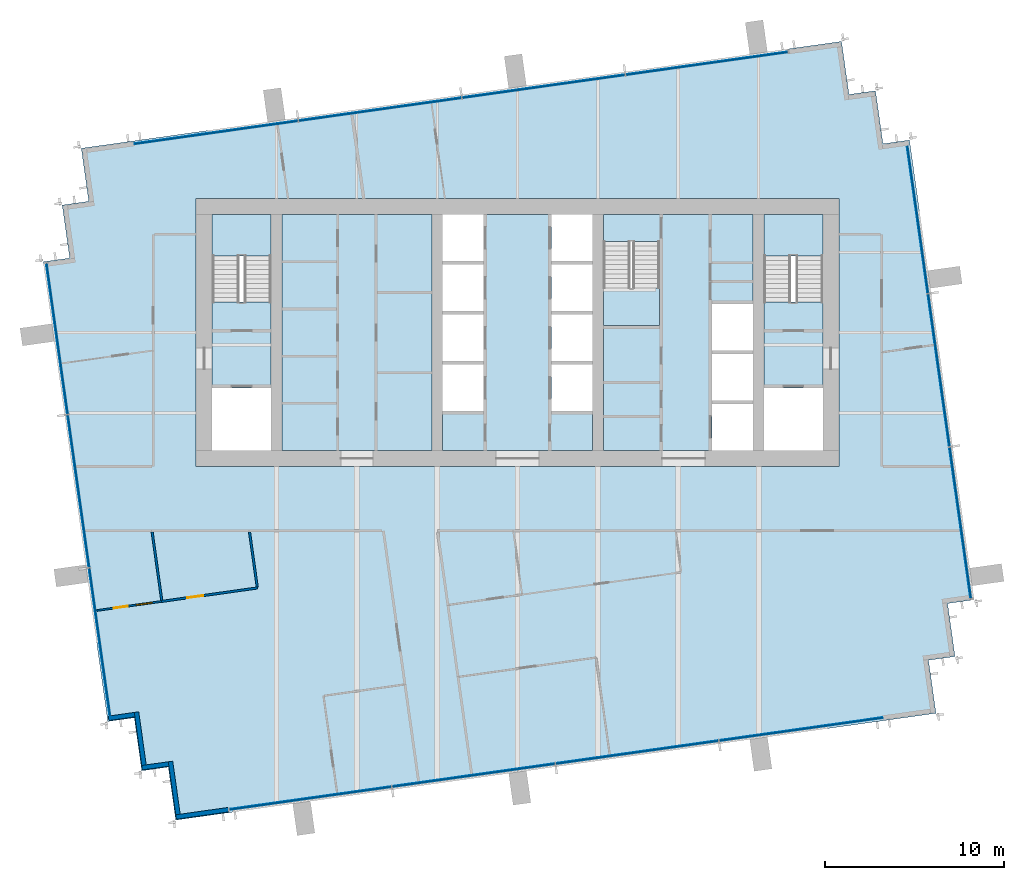
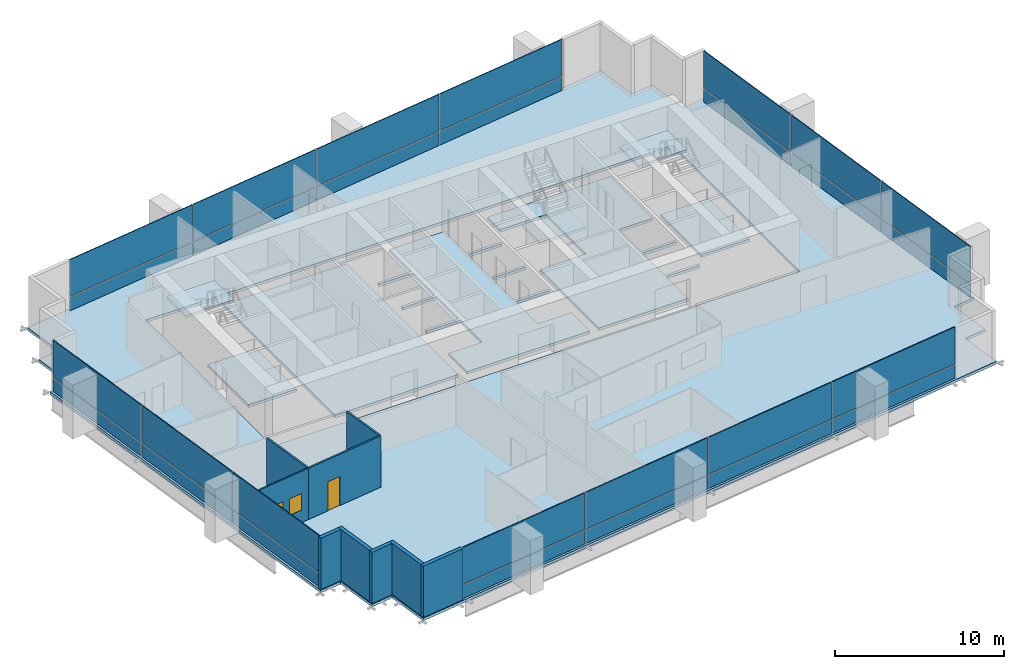
# One storey, part 7 of 12: 28 plates, 9 slabs, 9 walls, 2 doors, 1 window, 3 openings, 7 elements without a shape of their own.
"""IFC4 building model written with IfcOpenShell, lengths in metres."""

from ifc_helpers import new_model, si_unit, direction, frame, frame_2d, origin, origin_2d, place, context, subcontext, project, spatial, polyline, rectangle, outline, extrude, material, layer, layer_set, type_object, element, fill, aggregate, save


model = new_model("IFC4")

# Units and contexts
model_context = context("Model", 3, precision=1e-05, world=origin(), true_north=direction((0.0, 1.0)))
body_context = subcontext(model_context, "Body", "Model", "MODEL_VIEW")
ifc_project = project(units=[si_unit("LENGTHUNIT", "METRE"), si_unit("AREAUNIT", "SQUARE_METRE"), si_unit("VOLUMEUNIT", "CUBIC_METRE"), si_unit("PLANEANGLEUNIT", "RADIAN"), si_unit("MASSUNIT", "GRAM", prefix="KILO")], contexts=[model_context])

# Site, building, storey
site_placement = place(None, origin())
site = spatial("IfcSite", under=ifc_project, at=site_placement, CompositionType="ELEMENT")
building_placement = place(site_placement, origin())
building = spatial("IfcBuilding", under=site, at=building_placement, Name="Rattan Terrace Tower", CompositionType="ELEMENT")
storey_placement = place(building_placement, frame((0.0, 0.0, 259.0)))
storey = spatial("IfcBuildingStorey", under=building, at=storey_placement, Name="L59", CompositionType="ELEMENT", Elevation=259.0)

# Stair, slab
ifc_material_1 = material(Name="Concrete C40/50", Category="concrete")
stair_type = type_object("IfcStairType", Name="Core exit stair 1500", PredefinedType="HALF_TURN_STAIR", material=ifc_material_1)
stair_1_placement = place(storey_placement, origin())
stair_1 = element("IfcStair", 1, at=stair_1_placement, inside=storey, type_object=stair_type, Name="L59 exit stair 1", PredefinedType="HALF_TURN_STAIR")
ifc_material_2 = material(Name="Concrete C40/50", Category="concrete")
ifc_layer_1 = layer(ifc_material_2, 0.199951171875)
ifc_layer_set_1 = layer_set([ifc_layer_1], Name="Core exit stair landing")
slab_type_1 = type_object("IfcSlabType", Name="Core exit stair landing", PredefinedType="LANDING", material=ifc_layer_set_1)
slab_1_placement = place(storey_placement, frame((0.0, 0.0, 1.75)))
slab_1 = element("IfcSlab", 2, at=slab_1_placement, type_object=slab_type_1, Name="S1 landing 1", PredefinedType="LANDING", context=body_context, shape_type="SweptSolid", body=[
    extrude(outline(polyline([(-13.800048828125, 4.300048828125), (-13.800048828125, 6.60009765625), (-17.10009765625, 6.60009765625), (-17.10009765625, 4.300048828125), (-13.800048828125, 4.300048828125)])), origin(), (0.0, 0.0, 1.0), 0.199951171875),
])
aggregate(stair_1, [slab_1])

stair_2_placement = place(storey_placement, origin())
stair_2 = element("IfcStair", 3, at=stair_2_placement, inside=storey, type_object=stair_type, Name="L59 exit stair 2", PredefinedType="HALF_TURN_STAIR")
slab_2_placement = place(storey_placement, frame((0.0, 0.0, 1.75)))
slab_2 = element("IfcSlab", 4, at=slab_2_placement, type_object=slab_type_1, Name="S2 landing 1", PredefinedType="LANDING", context=body_context, shape_type="SweptSolid", body=[
    extrude(outline(polyline([(17.10009765625, 4.300048828125), (17.10009765625, 6.60009765625), (13.800048828125, 6.60009765625), (13.800048828125, 4.300048828125), (17.10009765625, 4.300048828125)])), origin(), (0.0, 0.0, 1.0), 0.199951171875),
])
aggregate(stair_2, [slab_2])

stair_3_placement = place(storey_placement, origin())
stair_3 = element("IfcStair", 5, at=stair_3_placement, inside=storey, type_object=stair_type, Name="L59 exit stair 3", PredefinedType="HALF_TURN_STAIR")
slab_3_placement = place(storey_placement, frame((0.0, 0.0, 1.75)))
slab_3 = element("IfcSlab", 6, at=slab_3_placement, type_object=slab_type_1, Name="S3 landing 1", PredefinedType="LANDING", context=body_context, shape_type="SweptSolid", body=[
    extrude(outline(polyline([(4.800048828125, 2.5), (4.800048828125, 0.39990234375), (7.949951171875, 0.39990234375), (7.949951171875, 2.5), (4.800048828125, 2.5)])), origin(), (0.0, 0.0, 1.0), 0.199951171875),
])
aggregate(stair_3, [slab_3])

# Slabs
ifc_material_3 = material(Name="Concrete C35/45", Category="concrete")
ifc_layer_2 = layer(ifc_material_3, 0.199951171875)
ifc_layer_set_2 = layer_set([ifc_layer_2], Name="Frame composite floor slab 200")
slab_type_2 = type_object("IfcSlabType", Name="Frame composite floor slab 200", PredefinedType="FLOOR", material=ifc_layer_set_2)
slab_4_placement = place(storey_placement, frame((0.0, 0.0, -0.199951171875)))
element("IfcSlab", 7, at=slab_4_placement, inside=storey, type_object=slab_type_2, Name="Floor slab", PredefinedType="FLOOR", context=body_context, shape_type="SweptSolid", body=[
    extrude(outline(polyline([(-16.176025390625, -26.889892578125), (20.464111328125, -21.739990234375), (23.43505859375, -21.322998046875), (23.01806640625, -18.35205078125), (24.5029296875, -18.14306640625), (24.0849609375, -15.173095703125), (25.571044921875, -14.964111328125), (21.951904296875, 10.782958984375), (20.467041015625, 10.573974609375), (20.049072265625, 13.544921875), (18.56396484375, 13.3369140625), (18.14599609375, 16.306884765625), (15.176025390625, 15.889892578125), (-21.464111328125, 10.739990234375), (-24.43505859375, 10.322998046875), (-24.01806640625, 7.35205078125), (-25.5029296875, 7.14306640625), (-25.0849609375, 4.173095703125), (-26.571044921875, 3.964111328125), (-22.951904296875, -21.782958984375), (-21.467041015625, -21.573974609375), (-21.049072265625, -24.544921875), (-19.56396484375, -24.3369140625), (-19.14599609375, -27.306884765625), (-16.176025390625, -26.889892578125)]), holes=[polyline([(-18.0, -7.5), (18.0, -7.5), (18.0, -6.60009765625), (18.0, 6.60009765625), (18.0, 7.5), (-18.0, 7.5), (-18.0, 6.60009765625), (-18.0, -6.60009765625), (-18.0, -7.5)])]), origin(), (0.0, 0.0, 1.0), 0.199951171875),
])
slab_5_placement = place(storey_placement, frame((0.0, 0.0, -0.199951171875)))
element("IfcSlab", 8, at=slab_5_placement, inside=storey, type_object=slab_type_2, Name="Floor slab", PredefinedType="FLOOR", context=body_context, shape_type="SweptSolid", body=[
    extrude(outline(polyline([(13.199951171875, 6.60009765625), (4.800048828125, 6.60009765625), (4.800048828125, 5.090087890625), (7.949951171875, 5.090087890625), (7.949951171875, 0.39990234375), (4.800048828125, 0.39990234375), (4.800048828125, -6.60009765625), (10.89990234375, -6.60009765625), (10.89990234375, -4.0), (13.199951171875, -4.0), (13.199951171875, -3.800048828125), (10.89990234375, -3.800048828125), (10.89990234375, -1.199951171875), (13.199951171875, -1.199951171875), (13.199951171875, -1.0), (10.89990234375, -1.0), (10.89990234375, 1.60009765625), (13.199951171875, 1.60009765625), (13.199951171875, 6.60009765625)])), origin(), (0.0, 0.0, 1.0), 0.199951171875),
])
slab_6_placement = place(storey_placement, frame((0.0, 0.0, -0.199951171875)))
element("IfcSlab", 9, at=slab_6_placement, inside=storey, type_object=slab_type_2, Name="Floor slab", PredefinedType="FLOOR", context=body_context, shape_type="SweptSolid", body=[
    extrude(outline(polyline([(1.89990234375, 6.60009765625), (-1.89990234375, 6.60009765625), (-1.89990234375, 4.0), (-4.199951171875, 4.0), (-4.199951171875, 3.800048828125), (-1.89990234375, 3.800048828125), (-1.89990234375, 1.199951171875), (-4.199951171875, 1.199951171875), (-4.199951171875, 1.0), (-1.89990234375, 1.0), (-1.89990234375, -1.60009765625), (-4.199951171875, -1.60009765625), (-4.199951171875, -1.800048828125), (-1.89990234375, -1.800048828125), (-1.89990234375, -4.39990234375), (-4.199951171875, -4.39990234375), (-4.199951171875, -6.60009765625), (4.199951171875, -6.60009765625), (4.199951171875, -4.39990234375), (1.89990234375, -4.39990234375), (1.89990234375, -1.800048828125), (4.199951171875, -1.800048828125), (4.199951171875, -1.60009765625), (1.89990234375, -1.60009765625), (1.89990234375, 1.0), (4.199951171875, 1.0), (4.199951171875, 1.199951171875), (1.89990234375, 1.199951171875), (1.89990234375, 3.800048828125), (4.199951171875, 3.800048828125), (4.199951171875, 4.0), (1.89990234375, 4.0), (1.89990234375, 6.60009765625)])), origin(), (0.0, 0.0, 1.0), 0.199951171875),
])
slab_7_placement = place(storey_placement, frame((0.0, 0.0, -0.199951171875)))
element("IfcSlab", 10, at=slab_7_placement, inside=storey, type_object=slab_type_2, Name="Floor slab", PredefinedType="FLOOR", context=body_context, shape_type="SweptSolid", body=[
    extrude(outline(polyline([(-17.10009765625, -3.10009765625), (-13.800048828125, -3.10009765625), (-13.800048828125, 1.7099609375), (-17.10009765625, 1.7099609375), (-17.10009765625, -3.10009765625)])), origin(), (0.0, 0.0, 1.0), 0.199951171875),
])
slab_8_placement = place(storey_placement, frame((0.0, 0.0, -0.199951171875)))
element("IfcSlab", 11, at=slab_8_placement, inside=storey, type_object=slab_type_2, Name="Floor slab", PredefinedType="FLOOR", context=body_context, shape_type="SweptSolid", body=[
    extrude(outline(polyline([(-4.800048828125, -6.60009765625), (-4.800048828125, 6.60009765625), (-13.199951171875, 6.60009765625), (-13.199951171875, -6.60009765625), (-4.800048828125, -6.60009765625)])), origin(), (0.0, 0.0, 1.0), 0.199951171875),
])
slab_9_placement = place(storey_placement, frame((0.0, 0.0, -0.199951171875)))
element("IfcSlab", 12, at=slab_9_placement, inside=storey, type_object=slab_type_2, Name="Floor slab", PredefinedType="FLOOR", context=body_context, shape_type="SweptSolid", body=[
    extrude(outline(polyline([(13.800048828125, -3.10009765625), (17.10009765625, -3.10009765625), (17.10009765625, 1.7099609375), (13.800048828125, 1.7099609375), (13.800048828125, -3.10009765625)])), origin(), (0.0, 0.0, 1.0), 0.199951171875),
])

# Curtain wall, plates
ifc_material_4 = material(Name="Aluminium and laminated glass", Category="aluminium")
ifc_layer_3 = layer(ifc_material_4, 0.199951171875)
ifc_layer_set_3 = layer_set([ifc_layer_3], Name="High-Zone Unitised Curtain Wall")
curtain_wall_type = type_object("IfcCurtainWallType", Name="High-Zone Unitised Curtain Wall", PredefinedType="NOTDEFINED", material=ifc_layer_set_3)
curtain_wall_1_placement = place(storey_placement, origin())
curtain_wall_1 = element("IfcCurtainWall", 13, at=curtain_wall_1_placement, inside=storey, type_object=curtain_wall_type, Name="High-zone curtain wall L59-1", PredefinedType="NOTDEFINED")
ifc_material_5 = material(Name="Aluminium insulated spandrel panel", Category="aluminium")
ifc_layer_4 = layer(ifc_material_5, 0.050048828125)
ifc_layer_set_4 = layer_set([ifc_layer_4], Name="High-Zone CW Spandrel Panel")
plate_type_1 = type_object("IfcPlateType", Name="High-Zone CW Spandrel Panel", PredefinedType="CURTAIN_PANEL", material=ifc_layer_set_4)
plate_1_placement = place(storey_placement, frame((24.7939453125, -10.65673828125, 0.0), z_axis=(0.0, 0.0, 1.0), x_axis=(-0.139191775431, 0.990265444036, 0.0)))
plate_1 = element("IfcPlate", 14, at=plate_1_placement, type_object=plate_type_1, Name="Panel cwl-L59-001.1.1", PredefinedType="CURTAIN_PANEL", context=body_context, shape_type="SweptSolid", body=[
    extrude(rectangle(XDim=8.51708984375, YDim=0.050048828125, at=origin_2d()), origin(), (0.0, 0.0, 1.0), 0.965087890625),
])
plate_2_placement = place(storey_placement, frame((23.593017578125, -2.11376953125, 0.0), z_axis=(0.0, 0.0, 1.0), x_axis=(-0.139191775431, 0.990265444036, 0.0)))
plate_2 = element("IfcPlate", 15, at=plate_2_placement, type_object=plate_type_1, Name="Panel cwl-L59-001.2.1", PredefinedType="CURTAIN_PANEL", context=body_context, shape_type="SweptSolid", body=[
    extrude(rectangle(XDim=8.596923828125, YDim=0.050048828125, at=origin_2d()), origin(), (0.0, 0.0, 1.0), 0.965087890625),
])
plate_3_placement = place(storey_placement, frame((22.40478515625, 6.339599609375, 0.0), z_axis=(0.0, 0.0, 1.0), x_axis=(-0.139191775431, 0.990265444036, 0.0)))
plate_3 = element("IfcPlate", 16, at=plate_3_placement, type_object=plate_type_1, Name="Panel cwl-L59-001.3.1", PredefinedType="CURTAIN_PANEL", context=body_context, shape_type="SweptSolid", body=[
    extrude(rectangle(XDim=8.336181640625, YDim=0.050048828125, at=origin_2d()), origin(), (0.0, 0.0, 1.0), 0.965087890625),
])

curtain_wall_2_placement = place(storey_placement, origin())
curtain_wall_2 = element("IfcCurtainWall", 17, at=curtain_wall_2_placement, inside=storey, type_object=curtain_wall_type, Name="High-zone curtain wall L59-2", PredefinedType="NOTDEFINED")
plate_4_placement = place(storey_placement, frame((10.602783203125, 15.075439453125, 0.0), z_axis=(0.0, 0.0, 1.0), x_axis=(-0.990265894013, -0.139188574079, 0.0)))
plate_4 = element("IfcPlate", 18, at=plate_4_placement, type_object=plate_type_1, Name="Panel cwl-L59-002.1.1", PredefinedType="CURTAIN_PANEL", context=body_context, shape_type="SweptSolid", body=[
    extrude(rectangle(XDim=9.14404296875, YDim=0.050048828125, at=origin_2d()), origin(), (0.0, 0.0, 1.0), 0.965087890625),
])
plate_5_placement = place(storey_placement, frame((1.461181640625, 13.79052734375, 0.0), z_axis=(0.0, 0.0, 1.0), x_axis=(-0.990265894013, -0.139188574079, 0.0)))
plate_5 = element("IfcPlate", 19, at=plate_5_placement, type_object=plate_type_1, Name="Panel cwl-L59-002.2.1", PredefinedType="CURTAIN_PANEL", context=body_context, shape_type="SweptSolid", body=[
    extrude(rectangle(XDim=9.178955078125, YDim=0.050048828125, at=origin_2d()), origin(), (0.0, 0.0, 1.0), 0.965087890625),
])
plate_6_placement = place(storey_placement, frame((-7.69775390625, 12.503173828125, 0.0), z_axis=(0.0, 0.0, 1.0), x_axis=(-0.990265894013, -0.139188574079, 0.0)))
plate_6 = element("IfcPlate", 20, at=plate_6_placement, type_object=plate_type_1, Name="Panel cwl-L59-002.3.1", PredefinedType="CURTAIN_PANEL", context=body_context, shape_type="SweptSolid", body=[
    extrude(rectangle(XDim=9.178955078125, YDim=0.050048828125, at=origin_2d()), origin(), (0.0, 0.0, 1.0), 0.965087890625),
])
plate_7_placement = place(storey_placement, frame((-16.876220703125, 11.213134765625, 0.0), z_axis=(0.0, 0.0, 1.0), x_axis=(-0.990265894013, -0.139188574079, 0.0)))
plate_7 = element("IfcPlate", 21, at=plate_7_placement, type_object=plate_type_1, Name="Panel cwl-L59-002.4.1", PredefinedType="CURTAIN_PANEL", context=body_context, shape_type="SweptSolid", body=[
    extrude(rectangle(XDim=9.21826171875, YDim=0.050048828125, at=origin_2d()), origin(), (0.0, 0.0, 1.0), 0.965087890625),
])

curtain_wall_3_placement = place(storey_placement, origin())
curtain_wall_3 = element("IfcCurtainWall", 22, at=curtain_wall_3_placement, inside=storey, type_object=curtain_wall_type, Name="High-zone curtain wall L59-3", PredefinedType="NOTDEFINED")
plate_8_placement = place(storey_placement, frame((-25.7939453125, -0.34326171875, 0.0), z_axis=(0.0, 0.0, 1.0), x_axis=(0.139191775431, -0.990265444036, 0.0)))
plate_8 = element("IfcPlate", 23, at=plate_8_placement, type_object=plate_type_1, Name="Panel cwl-L59-003.1.1", PredefinedType="CURTAIN_PANEL", context=body_context, shape_type="SweptSolid", body=[
    extrude(rectangle(XDim=8.51708984375, YDim=0.050048828125, at=origin_2d()), origin(), (0.0, 0.0, 1.0), 0.965087890625),
])
plate_9_placement = place(storey_placement, frame((-24.593017578125, -8.88623046875, 0.0), z_axis=(0.0, 0.0, 1.0), x_axis=(0.139191775431, -0.990265444036, 0.0)))
plate_9 = element("IfcPlate", 24, at=plate_9_placement, type_object=plate_type_1, Name="Panel cwl-L59-003.2.1", PredefinedType="CURTAIN_PANEL", context=body_context, shape_type="SweptSolid", body=[
    extrude(rectangle(XDim=8.596923828125, YDim=0.050048828125, at=origin_2d()), origin(), (0.0, 0.0, 1.0), 0.965087890625),
])
plate_10_placement = place(storey_placement, frame((-23.40478515625, -17.339599609375, 0.0), z_axis=(0.0, 0.0, 1.0), x_axis=(0.139191775431, -0.990265444036, 0.0)))
plate_10 = element("IfcPlate", 25, at=plate_10_placement, type_object=plate_type_1, Name="Panel cwl-L59-003.3.1", PredefinedType="CURTAIN_PANEL", context=body_context, shape_type="SweptSolid", body=[
    extrude(rectangle(XDim=8.336181640625, YDim=0.050048828125, at=origin_2d()), origin(), (0.0, 0.0, 1.0), 0.965087890625),
])

curtain_wall_4_placement = place(storey_placement, origin())
curtain_wall_4 = element("IfcCurtainWall", 26, at=curtain_wall_4_placement, inside=storey, type_object=curtain_wall_type, Name="High-zone curtain wall L59-4", PredefinedType="NOTDEFINED")
plate_11_placement = place(storey_placement, frame((-11.602783203125, -26.075439453125, 0.0), z_axis=(0.0, 0.0, 1.0), x_axis=(0.990265894013, 0.139188574079, 0.0)))
plate_11 = element("IfcPlate", 27, at=plate_11_placement, type_object=plate_type_1, Name="Panel cwl-L59-004.1.1", PredefinedType="CURTAIN_PANEL", context=body_context, shape_type="SweptSolid", body=[
    extrude(rectangle(XDim=9.14404296875, YDim=0.050048828125, at=origin_2d()), origin(), (0.0, 0.0, 1.0), 0.965087890625),
])
plate_12_placement = place(storey_placement, frame((-2.461181640625, -24.79052734375, 0.0), z_axis=(0.0, 0.0, 1.0), x_axis=(0.990265894013, 0.139188574079, 0.0)))
plate_12 = element("IfcPlate", 28, at=plate_12_placement, type_object=plate_type_1, Name="Panel cwl-L59-004.2.1", PredefinedType="CURTAIN_PANEL", context=body_context, shape_type="SweptSolid", body=[
    extrude(rectangle(XDim=9.178955078125, YDim=0.050048828125, at=origin_2d()), origin(), (0.0, 0.0, 1.0), 0.965087890625),
])
plate_13_placement = place(storey_placement, frame((6.69775390625, -23.503173828125, 0.0), z_axis=(0.0, 0.0, 1.0), x_axis=(0.990265894013, 0.139188574079, 0.0)))
plate_13 = element("IfcPlate", 29, at=plate_13_placement, type_object=plate_type_1, Name="Panel cwl-L59-004.3.1", PredefinedType="CURTAIN_PANEL", context=body_context, shape_type="SweptSolid", body=[
    extrude(rectangle(XDim=9.178955078125, YDim=0.050048828125, at=origin_2d()), origin(), (0.0, 0.0, 1.0), 0.965087890625),
])
plate_14_placement = place(storey_placement, frame((15.876220703125, -22.213134765625, 0.0), z_axis=(0.0, 0.0, 1.0), x_axis=(0.990265894013, 0.139188574079, 0.0)))
plate_14 = element("IfcPlate", 30, at=plate_14_placement, type_object=plate_type_1, Name="Panel cwl-L59-004.4.1", PredefinedType="CURTAIN_PANEL", context=body_context, shape_type="SweptSolid", body=[
    extrude(rectangle(XDim=9.21826171875, YDim=0.050048828125, at=origin_2d()), origin(), (0.0, 0.0, 1.0), 0.965087890625),
])

# Plate
ifc_material_6 = material(Name="Laminated low-iron glass", Category="glass")
ifc_layer_5 = layer(ifc_material_6, 0.055908203125)
ifc_layer_set_5 = layer_set([ifc_layer_5], Name="High-Zone CW Vision Panel")
plate_type_2 = type_object("IfcPlateType", Name="High-Zone CW Vision Panel", PredefinedType="CURTAIN_PANEL", material=ifc_layer_set_5)
plate_15_placement = place(storey_placement, frame((24.7939453125, -10.65673828125, 1.034912109375), z_axis=(0.0, 0.0, 1.0), x_axis=(-0.139191775431, 0.990265444036, 0.0)))
plate_15 = element("IfcPlate", 31, at=plate_15_placement, type_object=plate_type_2, Name="Panel cwl-L59-001.1.2", PredefinedType="CURTAIN_PANEL", context=body_context, shape_type="SweptSolid", body=[
    extrude(rectangle(XDim=8.51708984375, YDim=0.055908203125, at=origin_2d()), origin(), (0.0, 0.0, 1.0), 2.6650390625),
])

plate_16_placement = place(storey_placement, frame((23.593017578125, -2.11376953125, 1.034912109375), z_axis=(0.0, 0.0, 1.0), x_axis=(-0.139191775431, 0.990265444036, 0.0)))
plate_16 = element("IfcPlate", 32, at=plate_16_placement, type_object=plate_type_2, Name="Panel cwl-L59-001.2.2", PredefinedType="CURTAIN_PANEL", context=body_context, shape_type="SweptSolid", body=[
    extrude(rectangle(XDim=8.596923828125, YDim=0.055908203125, at=origin_2d()), origin(), (0.0, 0.0, 1.0), 2.6650390625),
])

plate_17_placement = place(storey_placement, frame((22.40478515625, 6.339599609375, 1.034912109375), z_axis=(0.0, 0.0, 1.0), x_axis=(-0.139191775431, 0.990265444036, 0.0)))
plate_17 = element("IfcPlate", 33, at=plate_17_placement, type_object=plate_type_2, Name="Panel cwl-L59-001.3.2", PredefinedType="CURTAIN_PANEL", context=body_context, shape_type="SweptSolid", body=[
    extrude(rectangle(XDim=8.336181640625, YDim=0.055908203125, at=origin_2d()), origin(), (0.0, 0.0, 1.0), 2.6650390625),
])

aggregate(curtain_wall_1, [plate_1, plate_15, plate_2, plate_16, plate_3, plate_17])

plate_18_placement = place(storey_placement, frame((10.602783203125, 15.075439453125, 1.034912109375), z_axis=(0.0, 0.0, 1.0), x_axis=(-0.990265894013, -0.139188574079, 0.0)))
plate_18 = element("IfcPlate", 34, at=plate_18_placement, type_object=plate_type_2, Name="Panel cwl-L59-002.1.2", PredefinedType="CURTAIN_PANEL", context=body_context, shape_type="SweptSolid", body=[
    extrude(rectangle(XDim=9.14404296875, YDim=0.055908203125, at=origin_2d()), origin(), (0.0, 0.0, 1.0), 2.6650390625),
])

plate_19_placement = place(storey_placement, frame((1.461181640625, 13.79052734375, 1.034912109375), z_axis=(0.0, 0.0, 1.0), x_axis=(-0.990265894013, -0.139188574079, 0.0)))
plate_19 = element("IfcPlate", 35, at=plate_19_placement, type_object=plate_type_2, Name="Panel cwl-L59-002.2.2", PredefinedType="CURTAIN_PANEL", context=body_context, shape_type="SweptSolid", body=[
    extrude(rectangle(XDim=9.178955078125, YDim=0.055908203125, at=origin_2d()), origin(), (0.0, 0.0, 1.0), 2.6650390625),
])

plate_20_placement = place(storey_placement, frame((-7.69775390625, 12.503173828125, 1.034912109375), z_axis=(0.0, 0.0, 1.0), x_axis=(-0.990265894013, -0.139188574079, 0.0)))
plate_20 = element("IfcPlate", 36, at=plate_20_placement, type_object=plate_type_2, Name="Panel cwl-L59-002.3.2", PredefinedType="CURTAIN_PANEL", context=body_context, shape_type="SweptSolid", body=[
    extrude(rectangle(XDim=9.178955078125, YDim=0.055908203125, at=origin_2d()), origin(), (0.0, 0.0, 1.0), 2.6650390625),
])

plate_21_placement = place(storey_placement, frame((-16.876220703125, 11.213134765625, 1.034912109375), z_axis=(0.0, 0.0, 1.0), x_axis=(-0.990265894013, -0.139188574079, 0.0)))
plate_21 = element("IfcPlate", 37, at=plate_21_placement, type_object=plate_type_2, Name="Panel cwl-L59-002.4.2", PredefinedType="CURTAIN_PANEL", context=body_context, shape_type="SweptSolid", body=[
    extrude(rectangle(XDim=9.21826171875, YDim=0.055908203125, at=origin_2d()), origin(), (0.0, 0.0, 1.0), 2.6650390625),
])

aggregate(curtain_wall_2, [plate_4, plate_18, plate_5, plate_19, plate_6, plate_20, plate_7, plate_21])

plate_22_placement = place(storey_placement, frame((-25.7939453125, -0.34326171875, 1.034912109375), z_axis=(0.0, 0.0, 1.0), x_axis=(0.139191775431, -0.990265444036, 0.0)))
plate_22 = element("IfcPlate", 38, at=plate_22_placement, type_object=plate_type_2, Name="Panel cwl-L59-003.1.2", PredefinedType="CURTAIN_PANEL", context=body_context, shape_type="SweptSolid", body=[
    extrude(rectangle(XDim=8.51708984375, YDim=0.055908203125, at=origin_2d()), origin(), (0.0, 0.0, 1.0), 2.6650390625),
])

plate_23_placement = place(storey_placement, frame((-24.593017578125, -8.88623046875, 1.034912109375), z_axis=(0.0, 0.0, 1.0), x_axis=(0.139191775431, -0.990265444036, 0.0)))
plate_23 = element("IfcPlate", 39, at=plate_23_placement, type_object=plate_type_2, Name="Panel cwl-L59-003.2.2", PredefinedType="CURTAIN_PANEL", context=body_context, shape_type="SweptSolid", body=[
    extrude(rectangle(XDim=8.596923828125, YDim=0.055908203125, at=origin_2d()), origin(), (0.0, 0.0, 1.0), 2.6650390625),
])

plate_24_placement = place(storey_placement, frame((-23.40478515625, -17.339599609375, 1.034912109375), z_axis=(0.0, 0.0, 1.0), x_axis=(0.139191775431, -0.990265444036, 0.0)))
plate_24 = element("IfcPlate", 40, at=plate_24_placement, type_object=plate_type_2, Name="Panel cwl-L59-003.3.2", PredefinedType="CURTAIN_PANEL", context=body_context, shape_type="SweptSolid", body=[
    extrude(rectangle(XDim=8.336181640625, YDim=0.055908203125, at=origin_2d()), origin(), (0.0, 0.0, 1.0), 2.6650390625),
])

aggregate(curtain_wall_3, [plate_8, plate_22, plate_9, plate_23, plate_10, plate_24])

plate_25_placement = place(storey_placement, frame((-11.602783203125, -26.075439453125, 1.034912109375), z_axis=(0.0, 0.0, 1.0), x_axis=(0.990265894013, 0.139188574079, 0.0)))
plate_25 = element("IfcPlate", 41, at=plate_25_placement, type_object=plate_type_2, Name="Panel cwl-L59-004.1.2", PredefinedType="CURTAIN_PANEL", context=body_context, shape_type="SweptSolid", body=[
    extrude(rectangle(XDim=9.14404296875, YDim=0.055908203125, at=origin_2d()), origin(), (0.0, 0.0, 1.0), 2.6650390625),
])

plate_26_placement = place(storey_placement, frame((-2.461181640625, -24.79052734375, 1.034912109375), z_axis=(0.0, 0.0, 1.0), x_axis=(0.990265894013, 0.139188574079, 0.0)))
plate_26 = element("IfcPlate", 42, at=plate_26_placement, type_object=plate_type_2, Name="Panel cwl-L59-004.2.2", PredefinedType="CURTAIN_PANEL", context=body_context, shape_type="SweptSolid", body=[
    extrude(rectangle(XDim=9.178955078125, YDim=0.055908203125, at=origin_2d()), origin(), (0.0, 0.0, 1.0), 2.6650390625),
])

plate_27_placement = place(storey_placement, frame((6.69775390625, -23.503173828125, 1.034912109375), z_axis=(0.0, 0.0, 1.0), x_axis=(0.990265894013, 0.139188574079, 0.0)))
plate_27 = element("IfcPlate", 43, at=plate_27_placement, type_object=plate_type_2, Name="Panel cwl-L59-004.3.2", PredefinedType="CURTAIN_PANEL", context=body_context, shape_type="SweptSolid", body=[
    extrude(rectangle(XDim=9.178955078125, YDim=0.055908203125, at=origin_2d()), origin(), (0.0, 0.0, 1.0), 2.6650390625),
])

plate_28_placement = place(storey_placement, frame((15.876220703125, -22.213134765625, 1.034912109375), z_axis=(0.0, 0.0, 1.0), x_axis=(0.990265894013, 0.139188574079, 0.0)))
plate_28 = element("IfcPlate", 44, at=plate_28_placement, type_object=plate_type_2, Name="Panel cwl-L59-004.4.2", PredefinedType="CURTAIN_PANEL", context=body_context, shape_type="SweptSolid", body=[
    extrude(rectangle(XDim=9.21826171875, YDim=0.055908203125, at=origin_2d()), origin(), (0.0, 0.0, 1.0), 2.6650390625),
])

aggregate(curtain_wall_4, [plate_11, plate_25, plate_12, plate_26, plate_13, plate_27, plate_14, plate_28])

# Walls
ifc_material_7 = material(Name="Insulated aluminium-clad stud wall", Category="aluminium")
ifc_layer_6 = layer(ifc_material_7, 0.25)
ifc_layer_set_6 = layer_set([ifc_layer_6], Name="Facade Riser Wall 250")
wall_type_1 = type_object("IfcWallType", Name="Facade Riser Wall 250", PredefinedType="SOLIDWALL", material=ifc_layer_set_6)
wall_1_placement = place(storey_placement, frame((-22.90625, -21.60498046875, 0.0), z_axis=(0.0, 0.0, 1.0), x_axis=(0.990235520307, 0.13940449893, 0.0)))
element("IfcWall", 45, at=wall_1_placement, inside=storey, type_object=wall_type_1, Name="Riser wall L59-16", PredefinedType="SOLIDWALL", context=body_context, shape_type="SweptSolid", body=[
    extrude(rectangle(XDim=1.474609375, YDim=0.25, at=frame_2d((0.7373046875, 0.0))), origin(), (0.0, 0.0, 1.0), 3.699951171875),
])
wall_2_placement = place(storey_placement, frame((-21.33984375, -21.25830078125, 0.0), z_axis=(0.0, 0.0, 1.0), x_axis=(0.139393225799, -0.990237107263, 0.0)))
element("IfcWall", 46, at=wall_2_placement, inside=storey, type_object=wall_type_1, Name="Riser wall L59-17", PredefinedType="SOLIDWALL", context=body_context, shape_type="SweptSolid", body=[
    extrude(rectangle(XDim=3.000244140625, YDim=0.25, at=frame_2d((1.5, 0.0))), origin(), (0.0, 0.0, 1.0), 3.699951171875),
])
wall_3_placement = place(storey_placement, frame((-21.028076171875, -24.370361328125, 0.0), z_axis=(0.0, 0.0, 1.0), x_axis=(0.990330117064, 0.138730887823, 0.0)))
element("IfcWall", 47, at=wall_3_placement, inside=storey, type_object=wall_type_1, Name="Riser wall L59-18", PredefinedType="SOLIDWALL", context=body_context, shape_type="SweptSolid", body=[
    extrude(rectangle(XDim=1.499267578125, YDim=0.25, at=frame_2d((0.74951171875, 0.0))), origin(), (0.0, 0.0, 1.0), 3.699951171875),
])
wall_4_placement = place(storey_placement, frame((-19.436767578125, -24.021240234375, 0.0), z_axis=(0.0, 0.0, 1.0), x_axis=(0.139358350296, -0.990242015975, 0.0)))
element("IfcWall", 48, at=wall_4_placement, inside=storey, type_object=wall_type_1, Name="Riser wall L59-19", PredefinedType="SOLIDWALL", context=body_context, shape_type="SweptSolid", body=[
    extrude(rectangle(XDim=2.999267578125, YDim=0.25, at=frame_2d((1.49951171875, 0.0))), origin(), (0.0, 0.0, 1.0), 3.699951171875),
])
wall_5_placement = place(storey_placement, frame((-19.125244140625, -27.13232421875, 0.0), z_axis=(0.0, 0.0, 1.0), x_axis=(0.990291981483, 0.139002846771, 0.0)))
element("IfcWall", 49, at=wall_5_placement, inside=storey, type_object=wall_type_1, Name="Riser wall L59-20", PredefinedType="SOLIDWALL", context=body_context, shape_type="SweptSolid", body=[
    extrude(rectangle(XDim=2.9541015625, YDim=0.25, at=frame_2d((1.47705078125, 0.0))), origin(), (0.0, 0.0, 1.0), 3.699951171875),
])

# Wall, openings, door, window
ifc_material_8 = material(Name="Gypsum board partition on steel studs", Category="steel")
ifc_layer_7 = layer(ifc_material_8, 0.10009765625)
ifc_layer_set_7 = layer_set([ifc_layer_7], Name="Floors Partition 100")
wall_type_2 = type_object("IfcWallType", Name="Floors Partition 100", PredefinedType="PARTITIONING", material=ifc_layer_set_7)
wall_6_placement = place(storey_placement, frame((-23.56298828125, -15.56689453125, 0.0), z_axis=(0.0, 0.0, 1.0), x_axis=(0.990288176908, 0.139029948846, 0.0)))
wall_6 = element("IfcWall", 50, at=wall_6_placement, inside=storey, type_object=wall_type_2, Name="pt-L59-022", PredefinedType="PARTITIONING", context=body_context, shape_type="SweptSolid", body=[
    extrude(rectangle(XDim=3.65966796875, YDim=0.10009765625, at=frame_2d((1.829833984375, 0.0))), origin(), (0.0, 0.0, 1.0), 3.699951171875),
])
opening_1_placement = place(wall_6_placement, frame((0.9580078125, 0.0, 0.0)))
opening_1 = element("IfcOpeningElement", 51, at=opening_1_placement, cuts=wall_6, Name="Opening L59-D102", PredefinedType="OPENING", context=body_context, shape_type="SweptSolid", body=[
    extrude(rectangle(XDim=0.800048828125, YDim=2.10009765625, at=frame_2d((0.39990234375, 1.050048828125))), frame((0.0, 0.060546875, 0.0), z_axis=(0.0, -1.0, 0.0), x_axis=(1.0, 0.0, 0.0)), (0.0, 0.0, 1.0), 0.12109375),
])
opening_2_placement = place(wall_6_placement, frame((2.239013671875, 0.0, 0.89990234375)))
opening_2 = element("IfcOpeningElement", 52, at=opening_2_placement, cuts=wall_6, Name="Opening L59-W100", PredefinedType="OPENING", context=body_context, shape_type="SweptSolid", body=[
    extrude(rectangle(XDim=0.89990234375, YDim=1.199951171875, at=frame_2d((0.449951171875, 0.60009765625))), frame((0.0, 0.060546875, 0.0), z_axis=(0.0, -1.0, 0.0), x_axis=(1.0, 0.0, 0.0)), (0.0, 0.0, 1.0), 0.12109375),
])
ifc_material_9 = material(Name="Solid core timber door, painted", Category="wood")
door_type_1 = type_object("IfcDoorType", Name="Floors Store Door 800x2100", OperationType="NOTDEFINED", PredefinedType="DOOR", material=ifc_material_9)
door_1_placement = place(opening_1_placement, origin())
door_1 = element("IfcDoor", 53, at=door_1_placement, inside=storey, type_object=door_type_1, Name="d-L59-102", OperationType="SINGLE_SWING_LEFT", OverallHeight=2.10009765625, OverallWidth=0.800048828125, PredefinedType="DOOR", context=body_context, shape_type="SweptSolid", body=[
    extrude(rectangle(XDim=0.800048828125, YDim=2.10009765625, at=frame_2d((0.39990234375, 1.050048828125))), frame((0.0, 0.02490234375, 0.0), z_axis=(0.0, -1.0, 0.0), x_axis=(1.0, 0.0, 0.0)), (0.0, 0.0, 1.0), 0.050048828125),
])
fill(opening_1, door_1)
ifc_material_10 = material(Name="Glass, clear, fixed in aluminium frame", Category="aluminium")
window_type = type_object("IfcWindowType", Name="Interior Vision Window 900x1200", PartitioningType="SINGLE_PANEL", PredefinedType="WINDOW", material=ifc_material_10)
window_placement = place(opening_2_placement, origin())
window = element("IfcWindow", 54, at=window_placement, inside=storey, type_object=window_type, Name="w-L59-100", OverallHeight=1.199951171875, OverallWidth=0.89990234375, PartitioningType="SINGLE_PANEL", PredefinedType="WINDOW", context=body_context, shape_type="SweptSolid", body=[
    extrude(rectangle(XDim=0.89990234375, YDim=1.199951171875, at=frame_2d((0.449951171875, 0.60009765625))), frame((0.0, 0.030029296875, 0.0), z_axis=(0.0, -1.0, 0.0), x_axis=(1.0, 0.0, 0.0)), (0.0, 0.0, 1.0), 0.06005859375),
])
fill(opening_2, window)

# Wall, opening, door
ifc_material_11 = material(Name="Moisture resistant gypsum board partition on steel studs with service cavity", Category="steel")
ifc_layer_8 = layer(ifc_material_11, 0.1201171875)
ifc_layer_set_8 = layer_set([ifc_layer_8], Name="Floors Wet Wall 120")
wall_type_3 = type_object("IfcWallType", Name="Floors Wet Wall 120", PredefinedType="PARTITIONING", material=ifc_layer_set_8)
wall_7_placement = place(storey_placement, frame((-19.93896484375, -15.05810546875, 0.0), z_axis=(0.0, 0.0, 1.0), x_axis=(0.99027122958, 0.139150608569, 0.0)))
wall_7 = element("IfcWall", 55, at=wall_7_placement, inside=storey, type_object=wall_type_3, Name="pt-L59-023", PredefinedType="PARTITIONING", context=body_context, shape_type="SweptSolid", body=[
    extrude(rectangle(XDim=5.419677734375, YDim=0.1201171875, at=frame_2d((2.7099609375, 0.0))), origin(), (0.0, 0.0, 1.0), 3.699951171875),
])
opening_3_placement = place(wall_7_placement, frame((1.4560546875, 0.0, 0.0)))
opening_3 = element("IfcOpeningElement", 56, at=opening_3_placement, cuts=wall_7, Name="Opening L59-D103", PredefinedType="OPENING", context=body_context, shape_type="SweptSolid", body=[
    extrude(rectangle(XDim=0.89990234375, YDim=2.10009765625, at=frame_2d((0.449951171875, 1.050048828125))), frame((0.0, 0.070556640625, 0.0), z_axis=(0.0, -1.0, 0.0), x_axis=(1.0, 0.0, 0.0)), (0.0, 0.0, 1.0), 0.14111328125),
])
ifc_material_12 = material(Name="Solid core timber door, painted", Category="wood")
door_type_2 = type_object("IfcDoorType", Name="Floors Door 900x2100", OperationType="NOTDEFINED", PredefinedType="DOOR", material=ifc_material_12)
door_2_placement = place(opening_3_placement, origin())
door_2 = element("IfcDoor", 57, at=door_2_placement, inside=storey, type_object=door_type_2, Name="d-L59-103", OperationType="SINGLE_SWING_LEFT", OverallHeight=2.10009765625, OverallWidth=0.89990234375, PredefinedType="DOOR", context=body_context, shape_type="SweptSolid", body=[
    extrude(rectangle(XDim=0.89990234375, YDim=2.10009765625, at=frame_2d((0.449951171875, 1.050048828125))), frame((0.0, 0.02490234375, 0.0), z_axis=(0.0, -1.0, 0.0), x_axis=(1.0, 0.0, 0.0)), (0.0, 0.0, 1.0), 0.050048828125),
])
fill(opening_3, door_2)

# Walls
wall_8_placement = place(storey_placement, frame((-14.580078125, -14.243896484375, 0.0), z_axis=(0.0, 0.0, 1.0), x_axis=(-0.139309006135, 0.990248959005, 0.0)))
element("IfcWall", 58, at=wall_8_placement, inside=storey, type_object=wall_type_3, Name="pt-L59-024", PredefinedType="PARTITIONING", context=body_context, shape_type="SweptSolid", body=[
    extrude(rectangle(XDim=3.107177734375, YDim=0.1201171875, at=frame_2d((1.5537109375, 0.0))), origin(), (0.0, 0.0, 1.0), 3.699951171875),
])
wall_9_placement = place(storey_placement, frame((-20.466064453125, -11.1669921875, 0.0), z_axis=(0.0, 0.0, 1.0), x_axis=(0.139192901143, -0.990265285806, 0.0)))
element("IfcWall", 59, at=wall_9_placement, inside=storey, type_object=wall_type_3, Name="pt-L59-025", PredefinedType="PARTITIONING", context=body_context, shape_type="SweptSolid", body=[
    extrude(rectangle(XDim=3.86572265625, YDim=0.1201171875, at=frame_2d((1.932861328125, 0.0))), origin(), (0.0, 0.0, 1.0), 3.699951171875),
])

save(model, "model.ifc")
